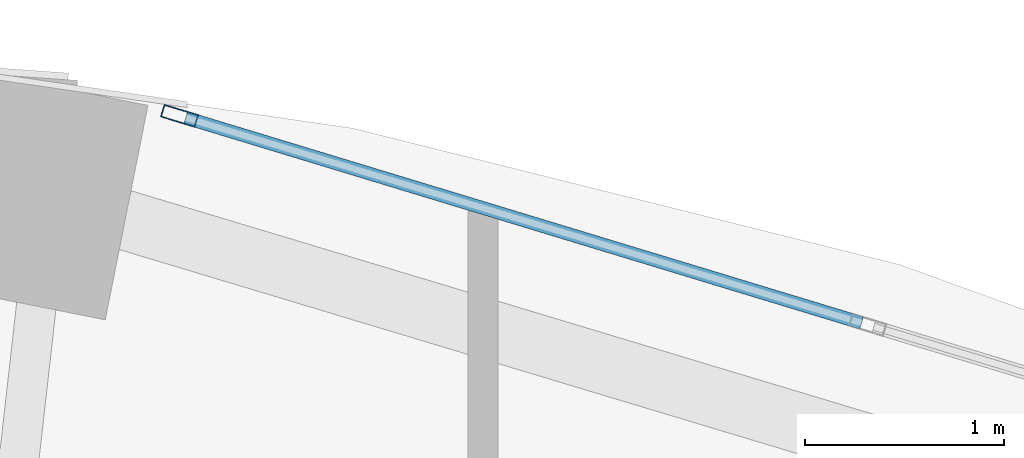
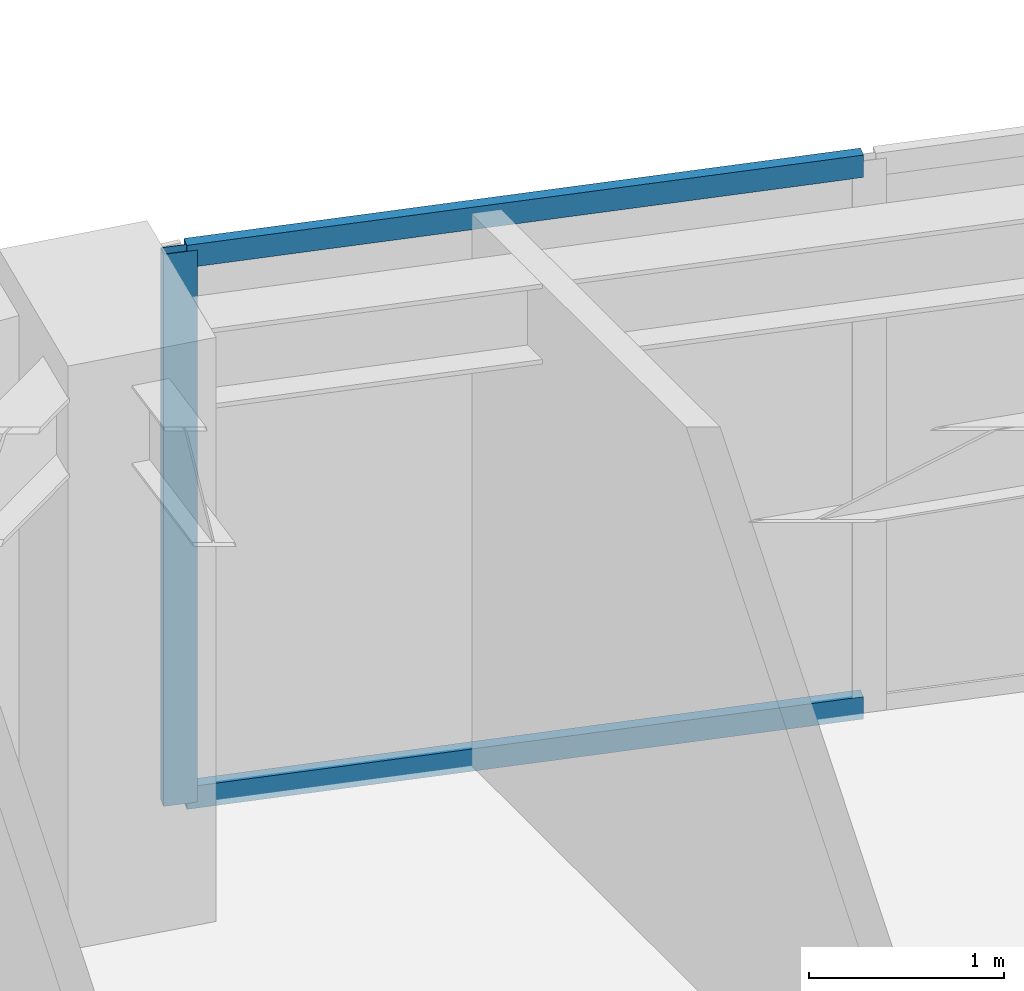
# One storey, part 7 of 13: 3 members, 1 element without a shape of its own.
"""IFC4 building model written with IfcOpenShell, lengths in metres."""

from ifc_helpers import new_model, si_unit, direction, frame, origin, origin_2d, place, context, subcontext, project, spatial, hollow_rectangle, extrude, material, layer, layer_set, material_profile, profile_set, type_object, element, aggregate, save


model = new_model("IFC4")

# Units and contexts
model_context = context("Model", 3, precision=1e-05, world=origin(), true_north=direction((0.0, 1.0)))
body_context = subcontext(model_context, "Body", "Model", "MODEL_VIEW")
ifc_project = project(units=[si_unit("LENGTHUNIT", "METRE"), si_unit("AREAUNIT", "SQUARE_METRE"), si_unit("VOLUMEUNIT", "CUBIC_METRE"), si_unit("PLANEANGLEUNIT", "RADIAN"), si_unit("MASSUNIT", "GRAM", prefix="KILO")], contexts=[model_context])

# Site, building, storey
site_placement = place(None, origin())
site = spatial("IfcSite", under=ifc_project, at=site_placement, CompositionType="ELEMENT")
building_placement = place(site_placement, origin())
building = spatial("IfcBuilding", under=site, at=building_placement, Name="Lazwardi Medical Tower", CompositionType="ELEMENT")
storey_placement = place(building_placement, frame((0.0, 0.0, 295.152099609375)))
storey = spatial("IfcBuildingStorey", under=building, at=storey_placement, Name="L77", CompositionType="ELEMENT", Elevation=295.152099609375)

# Curtain wall, members
ifc_material_1 = material(Name="Anodised bronze aluminium and solar control glazing", Category="aluminium")
ifc_layer = layer(ifc_material_1, 0.18994140625)
ifc_layer_set = layer_set([ifc_layer], Name="Anodised bronze aluminium and solar control glazing")
curtain_wall_type = type_object("IfcCurtainWallType", Name="CW-SYS-04", PredefinedType="NOTDEFINED", material=ifc_layer_set)
curtain_wall_placement = place(storey_placement, origin())
curtain_wall = element("IfcCurtainWall", 1, at=curtain_wall_placement, inside=storey, type_object=curtain_wall_type, Name="L77 Unitised bronze curtain wall CW-04", PredefinedType="NOTDEFINED")
ifc_material_2 = material(Name="Anodised bronze aluminium", Category="aluminium")
ifc_material_profile_1 = material_profile(ifc_material_2, hollow_rectangle(XDim=0.06494140625, YDim=0.179931640625, WallThickness=0.00390625, at=origin_2d()), Name="ALU-MULLION 180x65x4")
ifc_profile_set_1 = profile_set([ifc_material_profile_1], Name="Anodised bronze aluminium")
member_type_1 = type_object("IfcMemberType", Name="CW-MUL-03", PredefinedType="MULLION", material=ifc_profile_set_1)
member_1_placement = place(storey_placement, frame((40.873046875, 45.007080078125, 0.0), z_axis=(0.0, 0.0, 1.0), x_axis=(-0.290581889515, -0.956850126972, 0.0)))
member_1 = element("IfcMember", 2, at=member_1_placement, type_object=member_type_1, Name="CW-04 mullion 3", PredefinedType="MULLION", context=body_context, shape_type="SweptSolid", body=[
    extrude(hollow_rectangle(XDim=0.06494140625, YDim=0.179931640625, WallThickness=0.00390625, at=origin_2d()), origin(), (0.0, 0.0, 1.0), 3.447998046875),
])
ifc_material_profile_2 = material_profile(ifc_material_2, hollow_rectangle(XDim=0.06494140625, YDim=0.139892578125, WallThickness=0.00341796875, at=origin_2d()), Name="ALU-TRANSOM 140x65x3.5")
ifc_profile_set_2 = profile_set([ifc_material_profile_2], Name="Anodised bronze aluminium")
member_type_2 = type_object("IfcMemberType", Name="CW-TRN-03", PredefinedType="USERDEFINED", material=ifc_profile_set_2)
member_2_placement = place(storey_placement, frame((44.305419921875, 43.96484375, 0.032470703125), z_axis=(-0.956862505902, 0.290541124109, 0.0), x_axis=(-0.290541124109, -0.956862505902, 0.0)))
member_2 = element("IfcMember", 3, at=member_2_placement, type_object=member_type_2, Name="CW-04 transom 2.1", ObjectType="TRANSOM", PredefinedType="USERDEFINED", context=body_context, shape_type="SweptSolid", body=[
    extrude(hollow_rectangle(XDim=0.06494140625, YDim=0.139892578125, WallThickness=0.00341796875, at=origin_2d()), origin(), (0.0, 0.0, 1.0), 3.554443359375),
])
member_3_placement = place(storey_placement, frame((44.305419921875, 43.96484375, 3.415283203125), z_axis=(-0.956862505902, 0.290541124109, 0.0), x_axis=(-0.290541124109, -0.956862505902, 0.0)))
member_3 = element("IfcMember", 4, at=member_3_placement, type_object=member_type_2, Name="CW-04 transom 2.2", ObjectType="TRANSOM", PredefinedType="USERDEFINED", context=body_context, shape_type="SweptSolid", body=[
    extrude(hollow_rectangle(XDim=0.06494140625, YDim=0.139892578125, WallThickness=0.00341796875, at=origin_2d()), origin(), (0.0, 0.0, 1.0), 3.554443359375),
])
aggregate(curtain_wall, [member_1, member_2, member_3])

save(model, "model.ifc")
